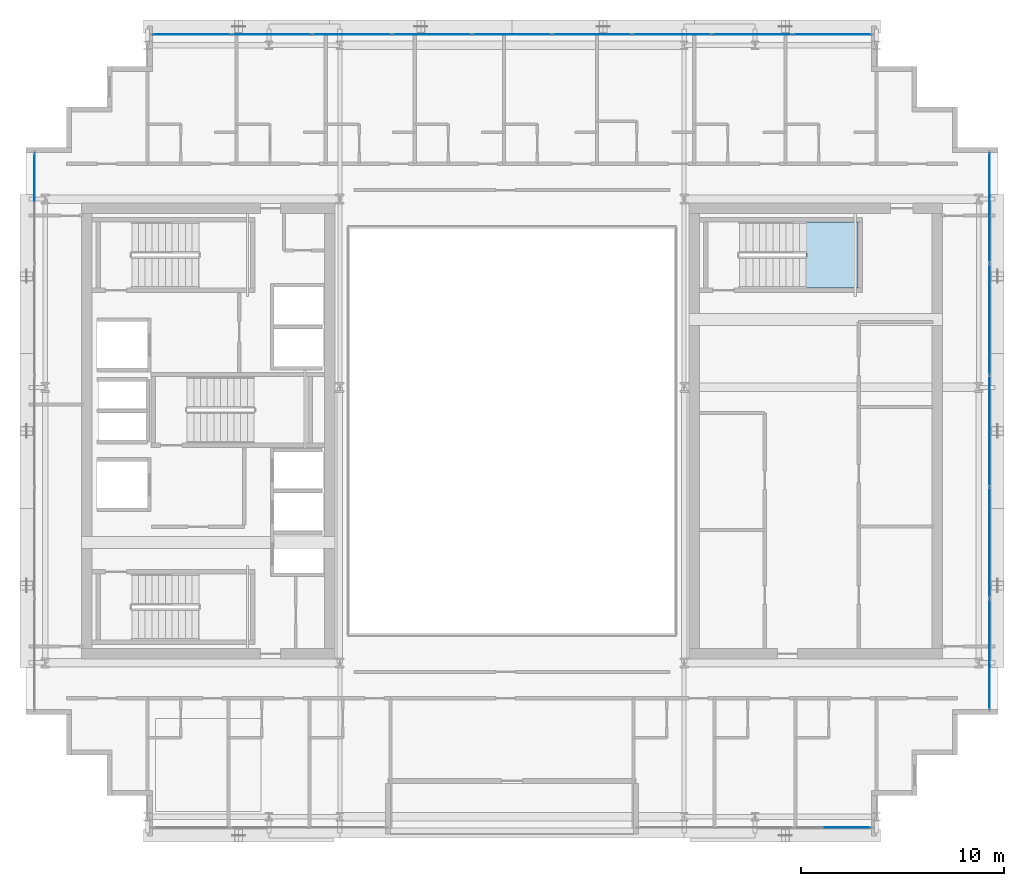
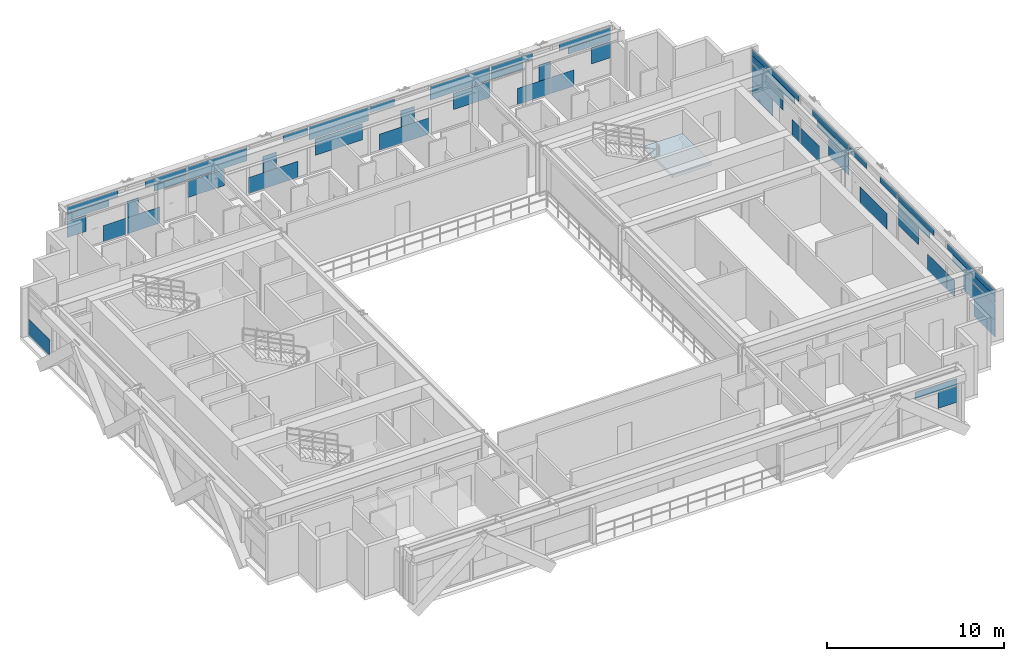
# One storey, part 21 of 32: 52 plates, 1 slab, 5 elements without a shape of their own.
"""IFC4 building model written with IfcOpenShell, lengths in metres."""

from ifc_helpers import new_model, si_unit, direction, frame, origin, origin_2d, place, context, subcontext, project, spatial, polyline, rectangle, outline, extrude, source, transform, mapped, material, layer, layer_set, type_object, element, aggregate, save


model = new_model("IFC4")

# Units and contexts
model_context = context("Model", 3, precision=1e-05, world=origin(), true_north=direction((0.0, 1.0)))
body_context = subcontext(model_context, "Body", "Model", "MODEL_VIEW")
ifc_project = project(units=[si_unit("LENGTHUNIT", "METRE"), si_unit("AREAUNIT", "SQUARE_METRE"), si_unit("VOLUMEUNIT", "CUBIC_METRE"), si_unit("PLANEANGLEUNIT", "RADIAN"), si_unit("MASSUNIT", "GRAM", prefix="KILO")], contexts=[model_context])

# Site, building, storey
site_placement = place(None, origin())
site = spatial("IfcSite", under=ifc_project, at=site_placement, CompositionType="ELEMENT")
building_placement = place(site_placement, origin())
building = spatial("IfcBuilding", under=site, at=building_placement, Name="Ocotamira Hotel", CompositionType="ELEMENT")
storey_placement = place(building_placement, frame((0.0, 0.0, 166.800048828125)))
storey = spatial("IfcBuildingStorey", under=building, at=storey_placement, Name="L41", CompositionType="ELEMENT", Elevation=166.800048828125)

# Stair, slab
ifc_material_1 = material(Name="Concrete C40/50", Category="concrete")
stair_type = type_object("IfcStairType", Name="ST-CORE-1560", PredefinedType="HALF_TURN_STAIR", material=ifc_material_1)
stair_placement = place(storey_placement, origin())
stair = element("IfcStair", 1, at=stair_placement, inside=storey, type_object=stair_type, Name="L41 Exit Stair ST-4", PredefinedType="HALF_TURN_STAIR")
ifc_layer_1 = layer(ifc_material_1, 0.199951171875)
ifc_layer_set_1 = layer_set([ifc_layer_1], Name="Concrete C40/50")
slab_type = type_object("IfcSlabType", Name="SLB-LAND-200", PredefinedType="LANDING", material=ifc_layer_set_1)
slab_placement = place(storey_placement, frame((0.0, 0.0, 1.599853515625)))
slab = element("IfcSlab", 2, at=slab_placement, type_object=slab_type, Name="ST-4 landing 1", PredefinedType="LANDING", context=body_context, shape_type="SweptSolid", body=[
    extrude(outline(polyline([(46.530029296875, 33.050048828125), (49.090087890625, 33.050048828125), (49.090087890625, 36.330078125), (46.530029296875, 36.330078125), (46.530029296875, 33.050048828125)])), origin(), (0.0, 0.0, 1.0), 0.2001953125),
])
aggregate(stair, [slab])

# Curtain wall, plates
ifc_material_2 = material(Name="Anodised pale-metal aluminium and solar glass", Category="aluminium")
ifc_layer_2 = layer(ifc_material_2, 0.199951171875)
ifc_layer_set_2 = layer_set([ifc_layer_2], Name="Anodised pale-metal aluminium and solar glass")
curtain_wall_type = type_object("IfcCurtainWallType", Name="CW-SYS4-Z3", PredefinedType="NOTDEFINED", material=ifc_layer_set_2)
curtain_wall_1_placement = place(storey_placement, origin())
curtain_wall_1 = element("IfcCurtainWall", 3, at=curtain_wall_1_placement, inside=storey, type_object=curtain_wall_type, Name="L41 Curtain Wall CW-4 CW-L41-N", PredefinedType="NOTDEFINED")
ifc_material_3 = material(Name="Double-silver low-E insulated solar glass", Category="glass")
ifc_layer_3 = layer(ifc_material_3, 0.031982421875)
ifc_layer_set_3 = layer_set([ifc_layer_3], Name="Double-silver low-E insulated solar glass")
plate_type = type_object("IfcPlateType", Name="CWP-VISION-32", PredefinedType="CURTAIN_PANEL", material=ifc_layer_set_3)
shared_shape_1 = source(origin(), body_context, "Body", "SweptSolid", [
    extrude(rectangle(XDim=3.87548828125, YDim=0.031982421875, at=origin_2d()), origin(), (0.0, 0.0, 1.0), 0.907470703125),
])
plate_1_placement = place(storey_placement, frame((24.0888671875, 45.580078125, 2.3876953125), z_axis=(0.0, 0.0, 1.0), x_axis=(1.0, 0.0, 0.0)))
plate_1 = element("IfcPlate", 4, at=plate_1_placement, type_object=plate_type, Name="CW-4 panel 3.2", PredefinedType="CURTAIN_PANEL", context=body_context, shape_type="MappedRepresentation", body=[
    mapped(shared_shape_1, transform((0.0, 0.0, 0.0), scale=1.0)),
])
plate_2_placement = place(storey_placement, frame((32.0, 45.580078125, 2.3876953125), z_axis=(0.0, 0.0, 1.0), x_axis=(1.0, 0.0, 0.0)))
plate_2 = element("IfcPlate", 5, at=plate_2_placement, type_object=plate_type, Name="CW-4 panel 5.2", PredefinedType="CURTAIN_PANEL", context=body_context, shape_type="MappedRepresentation", body=[
    mapped(shared_shape_1, transform((0.0, 0.0, 0.0), scale=1.0)),
])
plate_3_placement = place(storey_placement, frame((39.9111328125, 45.580078125, 2.3876953125), z_axis=(0.0, 0.0, 1.0), x_axis=(1.0, 0.0, 0.0)))
plate_3 = element("IfcPlate", 6, at=plate_3_placement, type_object=plate_type, Name="CW-4 panel 7.2", PredefinedType="CURTAIN_PANEL", context=body_context, shape_type="MappedRepresentation", body=[
    mapped(shared_shape_1, transform((0.0, 0.0, 0.0), scale=1.0)),
])

# Curtain wall, plate
curtain_wall_2_placement = place(storey_placement, origin())
curtain_wall_2 = element("IfcCurtainWall", 7, at=curtain_wall_2_placement, inside=storey, type_object=curtain_wall_type, Name="L41 Curtain Wall CW-4 CW-L41-S2", PredefinedType="NOTDEFINED")
shared_shape_2 = source(origin(), body_context, "Body", "SweptSolid", [
    extrude(rectangle(XDim=1.251953125, YDim=0.031982421875, at=origin_2d()), origin(), (0.0, 0.0, 1.0), 1.118896484375),
])
plate_4_placement = place(storey_placement, frame((49.093994140625, 6.419921875, 1.193359375), z_axis=(0.0, 0.0, 1.0), x_axis=(1.0, 0.0, 0.0)))
plate_4 = element("IfcPlate", 8, at=plate_4_placement, type_object=plate_type, Name="CW-4 panel 3.1.2", PredefinedType="CURTAIN_PANEL", context=body_context, shape_type="MappedRepresentation", body=[
    mapped(shared_shape_2, transform((0.0, 0.0, 0.0), scale=1.0)),
])

# Plate
plate_5_placement = place(storey_placement, frame((14.906005859375, 45.580078125, 1.193359375), z_axis=(0.0, 0.0, 1.0), x_axis=(1.0, 0.0, 0.0)))
plate_5 = element("IfcPlate", 9, at=plate_5_placement, type_object=plate_type, Name="CW-4 panel 1.1.1", PredefinedType="CURTAIN_PANEL", context=body_context, shape_type="MappedRepresentation", body=[
    mapped(shared_shape_2, transform((0.0, 0.0, 0.0), scale=1.0)),
])

plate_6_placement = place(storey_placement, frame((49.093994140625, 45.580078125, 1.193359375), z_axis=(0.0, 0.0, 1.0), x_axis=(1.0, 0.0, 0.0)))
plate_6 = element("IfcPlate", 10, at=plate_6_placement, type_object=plate_type, Name="CW-4 panel 9.1.2", PredefinedType="CURTAIN_PANEL", context=body_context, shape_type="MappedRepresentation", body=[
    mapped(shared_shape_2, transform((0.0, 0.0, 0.0), scale=1.0)),
])

shared_shape_3 = source(origin(), body_context, "Body", "SweptSolid", [
    extrude(rectangle(XDim=2.744140625, YDim=0.031982421875, at=origin_2d()), origin(), (0.0, 0.0, 1.0), 0.443603515625),
])
plate_7_placement = place(storey_placement, frame((48.347900390625, 6.419921875, 2.38720703125), z_axis=(0.0, 0.0, 1.0), x_axis=(1.0, 0.0, 0.0)))
plate_7 = element("IfcPlate", 11, at=plate_7_placement, type_object=plate_type, Name="CW-4 panel 3.2.2", PredefinedType="CURTAIN_PANEL", context=body_context, shape_type="MappedRepresentation", body=[
    mapped(shared_shape_3, transform((0.0, 0.0, 0.0), scale=1.0)),
])

aggregate(curtain_wall_2, [plate_4, plate_7])

plate_8_placement = place(storey_placement, frame((15.652099609375, 45.580078125, 2.38720703125), z_axis=(0.0, 0.0, 1.0), x_axis=(1.0, 0.0, 0.0)))
plate_8 = element("IfcPlate", 12, at=plate_8_placement, type_object=plate_type, Name="CW-4 panel 1.2.1", PredefinedType="CURTAIN_PANEL", context=body_context, shape_type="MappedRepresentation", body=[
    mapped(shared_shape_3, transform((0.0, 0.0, 0.0), scale=1.0)),
])

plate_9_placement = place(storey_placement, frame((48.347900390625, 45.580078125, 2.38720703125), z_axis=(0.0, 0.0, 1.0), x_axis=(1.0, 0.0, 0.0)))
plate_9 = element("IfcPlate", 13, at=plate_9_placement, type_object=plate_type, Name="CW-4 panel 9.2.2", PredefinedType="CURTAIN_PANEL", context=body_context, shape_type="MappedRepresentation", body=[
    mapped(shared_shape_3, transform((0.0, 0.0, 0.0), scale=1.0)),
])

shared_shape_4 = source(origin(), body_context, "Body", "SweptSolid", [
    extrude(rectangle(XDim=3.337646484375, YDim=0.031982421875, at=origin_2d()), origin(), (0.0, 0.0, 1.0), 0.4326171875),
])
plate_10_placement = place(storey_placement, frame((15.94873046875, 45.580078125, 2.8623046875), z_axis=(0.0, 0.0, 1.0), x_axis=(1.0, 0.0, 0.0)))
plate_10 = element("IfcPlate", 14, at=plate_10_placement, type_object=plate_type, Name="CW-4 panel 1.2.2", PredefinedType="CURTAIN_PANEL", context=body_context, shape_type="MappedRepresentation", body=[
    mapped(shared_shape_4, transform((0.0, 0.0, 0.0), scale=1.0)),
])

plate_11_placement = place(storey_placement, frame((48.05126953125, 45.580078125, 2.8623046875), z_axis=(0.0, 0.0, 1.0), x_axis=(1.0, 0.0, 0.0)))
plate_11 = element("IfcPlate", 15, at=plate_11_placement, type_object=plate_type, Name="CW-4 panel 9.2.1", PredefinedType="CURTAIN_PANEL", context=body_context, shape_type="MappedRepresentation", body=[
    mapped(shared_shape_4, transform((0.0, 0.0, 0.0), scale=1.0)),
])

shared_shape_5 = source(origin(), body_context, "Body", "SweptSolid", [
    extrude(rectangle(XDim=1.463134765625, YDim=0.031982421875, at=origin_2d()), origin(), (0.0, 0.0, 1.0), 1.118896484375),
])
plate_12_placement = place(storey_placement, frame((17.384033203125, 45.580078125, 0.07470703125), z_axis=(0.0, 0.0, 1.0), x_axis=(1.0, 0.0, 0.0)))
plate_12 = element("IfcPlate", 16, at=plate_12_placement, type_object=plate_type, Name="CW-4 panel 1.1.2", PredefinedType="CURTAIN_PANEL", context=body_context, shape_type="MappedRepresentation", body=[
    mapped(shared_shape_5, transform((0.0, 0.0, 0.0), scale=1.0)),
])

plate_13_placement = place(storey_placement, frame((46.615966796875, 45.580078125, 0.07470703125), z_axis=(0.0, 0.0, 1.0), x_axis=(1.0, 0.0, 0.0)))
plate_13 = element("IfcPlate", 17, at=plate_13_placement, type_object=plate_type, Name="CW-4 panel 9.1.1", PredefinedType="CURTAIN_PANEL", context=body_context, shape_type="MappedRepresentation", body=[
    mapped(shared_shape_5, transform((0.0, 0.0, 0.0), scale=1.0)),
])

shared_shape_6 = source(origin(), body_context, "Body", "SweptSolid", [
    extrude(rectangle(XDim=2.152099609375, YDim=0.031982421875, at=origin_2d()), origin(), (0.0, 0.0, 1.0), 1.118896484375),
])
plate_14_placement = place(storey_placement, frame((19.271484375, 45.580078125, 0.07470703125), z_axis=(0.0, 0.0, 1.0), x_axis=(1.0, 0.0, 0.0)))
plate_14 = element("IfcPlate", 18, at=plate_14_placement, type_object=plate_type, Name="CW-4 panel 2.1.1", PredefinedType="CURTAIN_PANEL", context=body_context, shape_type="MappedRepresentation", body=[
    mapped(shared_shape_6, transform((0.0, 0.0, 0.0), scale=1.0)),
])

plate_15_placement = place(storey_placement, frame((44.728515625, 45.580078125, 0.07470703125), z_axis=(0.0, 0.0, 1.0), x_axis=(1.0, 0.0, 0.0)))
plate_15 = element("IfcPlate", 19, at=plate_15_placement, type_object=plate_type, Name="CW-4 panel 8.1.1", PredefinedType="CURTAIN_PANEL", context=body_context, shape_type="MappedRepresentation", body=[
    mapped(shared_shape_6, transform((0.0, 0.0, 0.0), scale=1.0)),
])

shared_shape_7 = source(origin(), body_context, "Body", "SweptSolid", [
    extrude(rectangle(XDim=0.75341796875, YDim=0.031982421875, at=origin_2d()), origin(), (0.0, 0.0, 1.0), 1.118896484375),
])
plate_16_placement = place(storey_placement, frame((18.572265625, 45.580078125, 1.193359375), z_axis=(0.0, 0.0, 1.0), x_axis=(1.0, 0.0, 0.0)))
plate_16 = element("IfcPlate", 20, at=plate_16_placement, type_object=plate_type, Name="CW-4 panel 2.1.2", PredefinedType="CURTAIN_PANEL", context=body_context, shape_type="MappedRepresentation", body=[
    mapped(shared_shape_7, transform((0.0, 0.0, 0.0), scale=1.0)),
])

plate_17_placement = place(storey_placement, frame((45.427734375, 45.580078125, 1.193359375), z_axis=(0.0, 0.0, 1.0), x_axis=(1.0, 0.0, 0.0)))
plate_17 = element("IfcPlate", 21, at=plate_17_placement, type_object=plate_type, Name="CW-4 panel 8.1.2", PredefinedType="CURTAIN_PANEL", context=body_context, shape_type="MappedRepresentation", body=[
    mapped(shared_shape_7, transform((0.0, 0.0, 0.0), scale=1.0)),
])

shared_shape_8 = source(origin(), body_context, "Body", "SweptSolid", [
    extrude(rectangle(XDim=2.688720703125, YDim=0.031982421875, at=origin_2d()), origin(), (0.0, 0.0, 1.0), 0.4326171875),
])
plate_18_placement = place(storey_placement, frame((20.726806640625, 45.580078125, 2.8623046875), z_axis=(0.0, 0.0, 1.0), x_axis=(1.0, 0.0, 0.0)))
plate_18 = element("IfcPlate", 22, at=plate_18_placement, type_object=plate_type, Name="CW-4 panel 2.2.1", PredefinedType="CURTAIN_PANEL", context=body_context, shape_type="MappedRepresentation", body=[
    mapped(shared_shape_8, transform((0.0, 0.0, 0.0), scale=1.0)),
])

plate_19_placement = place(storey_placement, frame((43.273193359375, 45.580078125, 2.8623046875), z_axis=(0.0, 0.0, 1.0), x_axis=(1.0, 0.0, 0.0)))
plate_19 = element("IfcPlate", 23, at=plate_19_placement, type_object=plate_type, Name="CW-4 panel 8.2.2", PredefinedType="CURTAIN_PANEL", context=body_context, shape_type="MappedRepresentation", body=[
    mapped(shared_shape_8, transform((0.0, 0.0, 0.0), scale=1.0)),
])

shared_shape_9 = source(origin(), body_context, "Body", "SweptSolid", [
    extrude(rectangle(XDim=2.09521484375, YDim=0.031982421875, at=origin_2d()), origin(), (0.0, 0.0, 1.0), 0.443603515625),
])
plate_20_placement = place(storey_placement, frame((21.0234375, 45.580078125, 2.38720703125), z_axis=(0.0, 0.0, 1.0), x_axis=(1.0, 0.0, 0.0)))
plate_20 = element("IfcPlate", 24, at=plate_20_placement, type_object=plate_type, Name="CW-4 panel 2.2.2", PredefinedType="CURTAIN_PANEL", context=body_context, shape_type="MappedRepresentation", body=[
    mapped(shared_shape_9, transform((0.0, 0.0, 0.0), scale=1.0)),
])

plate_21_placement = place(storey_placement, frame((42.9765625, 45.580078125, 2.38720703125), z_axis=(0.0, 0.0, 1.0), x_axis=(1.0, 0.0, 0.0)))
plate_21 = element("IfcPlate", 25, at=plate_21_placement, type_object=plate_type, Name="CW-4 panel 8.2.1", PredefinedType="CURTAIN_PANEL", context=body_context, shape_type="MappedRepresentation", body=[
    mapped(shared_shape_9, transform((0.0, 0.0, 0.0), scale=1.0)),
])

shared_shape_10 = source(origin(), body_context, "Body", "SweptSolid", [
    extrude(rectangle(XDim=2.380859375, YDim=0.031982421875, at=origin_2d()), origin(), (0.0, 0.0, 1.0), 1.118896484375),
])
plate_22_placement = place(storey_placement, frame((23.341552734375, 45.580078125, 1.193359375), z_axis=(0.0, 0.0, 1.0), x_axis=(1.0, 0.0, 0.0)))
plate_22 = element("IfcPlate", 26, at=plate_22_placement, type_object=plate_type, Name="CW-4 panel 3.1.1", PredefinedType="CURTAIN_PANEL", context=body_context, shape_type="MappedRepresentation", body=[
    mapped(shared_shape_10, transform((0.0, 0.0, 0.0), scale=1.0)),
])

plate_23_placement = place(storey_placement, frame((40.658447265625, 45.580078125, 1.193359375), z_axis=(0.0, 0.0, 1.0), x_axis=(1.0, 0.0, 0.0)))
plate_23 = element("IfcPlate", 27, at=plate_23_placement, type_object=plate_type, Name="CW-4 panel 7.1.1", PredefinedType="CURTAIN_PANEL", context=body_context, shape_type="MappedRepresentation", body=[
    mapped(shared_shape_10, transform((0.0, 0.0, 0.0), scale=1.0)),
])

shared_shape_11 = source(origin(), body_context, "Body", "SweptSolid", [
    extrude(rectangle(XDim=3.240966796875, YDim=0.031982421875, at=origin_2d()), origin(), (0.0, 0.0, 1.0), 1.118896484375),
])
plate_24_placement = place(storey_placement, frame((27.72705078125, 45.580078125, 0.07470703125), z_axis=(0.0, 0.0, 1.0), x_axis=(1.0, 0.0, 0.0)))
plate_24 = element("IfcPlate", 28, at=plate_24_placement, type_object=plate_type, Name="CW-4 panel 4.1.1", PredefinedType="CURTAIN_PANEL", context=body_context, shape_type="MappedRepresentation", body=[
    mapped(shared_shape_11, transform((0.0, 0.0, 0.0), scale=1.0)),
])

plate_25_placement = place(storey_placement, frame((36.27294921875, 45.580078125, 0.07470703125), z_axis=(0.0, 0.0, 1.0), x_axis=(1.0, 0.0, 0.0)))
plate_25 = element("IfcPlate", 29, at=plate_25_placement, type_object=plate_type, Name="CW-4 panel 6.1.1", PredefinedType="CURTAIN_PANEL", context=body_context, shape_type="MappedRepresentation", body=[
    mapped(shared_shape_11, transform((0.0, 0.0, 0.0), scale=1.0)),
])

shared_shape_12 = source(origin(), body_context, "Body", "SweptSolid", [
    extrude(rectangle(XDim=0.898193359375, YDim=0.031982421875, at=origin_2d()), origin(), (0.0, 0.0, 1.0), 1.118896484375),
])
plate_26_placement = place(storey_placement, frame((27.5, 45.580078125, 1.193359375), z_axis=(0.0, 0.0, 1.0), x_axis=(1.0, 0.0, 0.0)))
plate_26 = element("IfcPlate", 30, at=plate_26_placement, type_object=plate_type, Name="CW-4 panel 4.1.2", PredefinedType="CURTAIN_PANEL", context=body_context, shape_type="MappedRepresentation", body=[
    mapped(shared_shape_12, transform((0.0, 0.0, 0.0), scale=1.0)),
])

plate_27_placement = place(storey_placement, frame((36.5, 45.580078125, 1.193359375), z_axis=(0.0, 0.0, 1.0), x_axis=(1.0, 0.0, 0.0)))
plate_27 = element("IfcPlate", 31, at=plate_27_placement, type_object=plate_type, Name="CW-4 panel 6.1.2", PredefinedType="CURTAIN_PANEL", context=body_context, shape_type="MappedRepresentation", body=[
    mapped(shared_shape_12, transform((0.0, 0.0, 0.0), scale=1.0)),
])

shared_shape_13 = source(origin(), body_context, "Body", "SweptSolid", [
    extrude(rectangle(XDim=1.599853515625, YDim=0.031982421875, at=origin_2d()), origin(), (0.0, 0.0, 1.0), 0.4326171875),
])
plate_28_placement = place(storey_placement, frame((29.182373046875, 45.580078125, 2.8623046875), z_axis=(0.0, 0.0, 1.0), x_axis=(1.0, 0.0, 0.0)))
plate_28 = element("IfcPlate", 32, at=plate_28_placement, type_object=plate_type, Name="CW-4 panel 4.2.1", PredefinedType="CURTAIN_PANEL", context=body_context, shape_type="MappedRepresentation", body=[
    mapped(shared_shape_13, transform((0.0, 0.0, 0.0), scale=1.0)),
])

plate_29_placement = place(storey_placement, frame((34.817626953125, 45.580078125, 2.8623046875), z_axis=(0.0, 0.0, 1.0), x_axis=(1.0, 0.0, 0.0)))
plate_29 = element("IfcPlate", 33, at=plate_29_placement, type_object=plate_type, Name="CW-4 panel 6.2.1", PredefinedType="CURTAIN_PANEL", context=body_context, shape_type="MappedRepresentation", body=[
    mapped(shared_shape_13, transform((0.0, 0.0, 0.0), scale=1.0)),
])

shared_shape_14 = source(origin(), body_context, "Body", "SweptSolid", [
    extrude(rectangle(XDim=3.063720703125, YDim=0.031982421875, at=origin_2d()), origin(), (0.0, 0.0, 1.0), 1.118896484375),
])
plate_30_placement = place(storey_placement, frame((32.0, 45.580078125, 1.193359375), z_axis=(0.0, 0.0, 1.0), x_axis=(1.0, 0.0, 0.0)))
plate_30 = element("IfcPlate", 34, at=plate_30_placement, type_object=plate_type, Name="CW-4 panel 5.1.1", PredefinedType="CURTAIN_PANEL", context=body_context, shape_type="MappedRepresentation", body=[
    mapped(shared_shape_14, transform((0.0, 0.0, 0.0), scale=1.0)),
])

aggregate(curtain_wall_1, [plate_5, plate_12, plate_8, plate_10, plate_14, plate_16, plate_18, plate_20, plate_22, plate_1, plate_24, plate_26, plate_28, plate_30, plate_2, plate_25, plate_27, plate_29, plate_23, plate_3, plate_15, plate_17, plate_21, plate_19, plate_13, plate_6, plate_11, plate_9])

# Curtain wall, plate
curtain_wall_3_placement = place(storey_placement, origin())
curtain_wall_3 = element("IfcCurtainWall", 35, at=curtain_wall_3_placement, inside=storey, type_object=curtain_wall_type, Name="L41 Curtain Wall CW-4 CW-L41-W", PredefinedType="NOTDEFINED")
shared_shape_15 = source(origin(), body_context, "Body", "SweptSolid", [
    extrude(rectangle(XDim=2.348388671875, YDim=0.031982421875, at=origin_2d()), origin(), (0.0, 0.0, 1.0), 1.118896484375),
])
plate_31_placement = place(storey_placement, frame((8.419921875, 38.5458984375, 0.07470703125), z_axis=(0.0, 0.0, 1.0), x_axis=(0.0, 1.0, 0.0)))
plate_31 = element("IfcPlate", 36, at=plate_31_placement, type_object=plate_type, Name="CW-4 panel 5.1.3", PredefinedType="CURTAIN_PANEL", context=body_context, shape_type="MappedRepresentation", body=[
    mapped(shared_shape_15, transform((0.0, 0.0, 0.0), scale=1.0)),
])
aggregate(curtain_wall_3, [plate_31])

# Curtain wall, plates
curtain_wall_4_placement = place(storey_placement, origin())
curtain_wall_4 = element("IfcCurtainWall", 37, at=curtain_wall_4_placement, inside=storey, type_object=curtain_wall_type, Name="L41 Curtain Wall CW-4 CW-L41-E", PredefinedType="NOTDEFINED")
plate_32_placement = place(storey_placement, frame((55.580078125, 13.4541015625, 0.07470703125), z_axis=(0.0, 0.0, 1.0), x_axis=(0.0, 1.0, 0.0)))
plate_32 = element("IfcPlate", 38, at=plate_32_placement, type_object=plate_type, Name="CW-4 panel 1.1.1", PredefinedType="CURTAIN_PANEL", context=body_context, shape_type="MappedRepresentation", body=[
    mapped(shared_shape_15, transform((0.0, 0.0, 0.0), scale=1.0)),
])
plate_33_placement = place(storey_placement, frame((55.580078125, 38.5458984375, 0.07470703125), z_axis=(0.0, 0.0, 1.0), x_axis=(0.0, 1.0, 0.0)))
plate_33 = element("IfcPlate", 39, at=plate_33_placement, type_object=plate_type, Name="CW-4 panel 5.1.3", PredefinedType="CURTAIN_PANEL", context=body_context, shape_type="MappedRepresentation", body=[
    mapped(shared_shape_15, transform((0.0, 0.0, 0.0), scale=1.0)),
])
shared_shape_16 = source(origin(), body_context, "Body", "SweptSolid", [
    extrude(rectangle(XDim=3.534423828125, YDim=0.031982421875, at=origin_2d()), origin(), (0.0, 0.0, 1.0), 1.118896484375),
])
plate_34_placement = place(storey_placement, frame((55.580078125, 14.047119140625, 1.193359375), z_axis=(0.0, 0.0, 1.0), x_axis=(0.0, 1.0, 0.0)))
plate_34 = element("IfcPlate", 40, at=plate_34_placement, type_object=plate_type, Name="CW-4 panel 1.1.2", PredefinedType="CURTAIN_PANEL", context=body_context, shape_type="MappedRepresentation", body=[
    mapped(shared_shape_16, transform((0.0, 0.0, 0.0), scale=1.0)),
])
plate_35_placement = place(storey_placement, frame((55.580078125, 37.952880859375, 1.193359375), z_axis=(0.0, 0.0, 1.0), x_axis=(0.0, 1.0, 0.0)))
plate_35 = element("IfcPlate", 41, at=plate_35_placement, type_object=plate_type, Name="CW-4 panel 5.1.2", PredefinedType="CURTAIN_PANEL", context=body_context, shape_type="MappedRepresentation", body=[
    mapped(shared_shape_16, transform((0.0, 0.0, 0.0), scale=1.0)),
])
shared_shape_17 = source(origin(), body_context, "Body", "SweptSolid", [
    extrude(rectangle(XDim=0.845458984375, YDim=0.031982421875, at=origin_2d()), origin(), (0.0, 0.0, 1.0), 1.118896484375),
])
plate_36_placement = place(storey_placement, frame((55.580078125, 17.25732421875, 0.07470703125), z_axis=(0.0, 0.0, 1.0), x_axis=(0.0, 1.0, 0.0)))
plate_36 = element("IfcPlate", 42, at=plate_36_placement, type_object=plate_type, Name="CW-4 panel 1.1.3", PredefinedType="CURTAIN_PANEL", context=body_context, shape_type="MappedRepresentation", body=[
    mapped(shared_shape_17, transform((0.0, 0.0, 0.0), scale=1.0)),
])
plate_37_placement = place(storey_placement, frame((55.580078125, 34.74267578125, 0.07470703125), z_axis=(0.0, 0.0, 1.0), x_axis=(0.0, 1.0, 0.0)))
plate_37 = element("IfcPlate", 43, at=plate_37_placement, type_object=plate_type, Name="CW-4 panel 5.1.1", PredefinedType="CURTAIN_PANEL", context=body_context, shape_type="MappedRepresentation", body=[
    mapped(shared_shape_17, transform((0.0, 0.0, 0.0), scale=1.0)),
])
shared_shape_18 = source(origin(), body_context, "Body", "SweptSolid", [
    extrude(rectangle(XDim=4.7998046875, YDim=0.031982421875, at=origin_2d()), origin(), (0.0, 0.0, 1.0), 0.4951171875),
])
plate_38_placement = place(storey_placement, frame((55.580078125, 14.679931640625, 2.387451171875), z_axis=(0.0, 0.0, 1.0), x_axis=(0.0, 1.0, 0.0)))
plate_38 = element("IfcPlate", 44, at=plate_38_placement, type_object=plate_type, Name="CW-4 panel 1.2.1", PredefinedType="CURTAIN_PANEL", context=body_context, shape_type="MappedRepresentation", body=[
    mapped(shared_shape_18, transform((0.0, 0.0, 0.0), scale=1.0)),
])
plate_39_placement = place(storey_placement, frame((55.580078125, 37.320068359375, 2.387451171875), z_axis=(0.0, 0.0, 1.0), x_axis=(0.0, 1.0, 0.0)))
plate_39 = element("IfcPlate", 45, at=plate_39_placement, type_object=plate_type, Name="CW-4 panel 5.2.2", PredefinedType="CURTAIN_PANEL", context=body_context, shape_type="MappedRepresentation", body=[
    mapped(shared_shape_18, transform((0.0, 0.0, 0.0), scale=1.0)),
])
shared_shape_19 = source(origin(), body_context, "Body", "SweptSolid", [
    extrude(rectangle(XDim=5.32470703125, YDim=0.031982421875, at=origin_2d()), origin(), (0.0, 0.0, 1.0), 0.41259765625),
])
plate_40_placement = place(storey_placement, frame((55.580078125, 14.9423828125, 2.882568359375), z_axis=(0.0, 0.0, 1.0), x_axis=(0.0, 1.0, 0.0)))
plate_40 = element("IfcPlate", 46, at=plate_40_placement, type_object=plate_type, Name="CW-4 panel 1.2.2", PredefinedType="CURTAIN_PANEL", context=body_context, shape_type="MappedRepresentation", body=[
    mapped(shared_shape_19, transform((0.0, 0.0, 0.0), scale=1.0)),
])
plate_41_placement = place(storey_placement, frame((55.580078125, 37.0576171875, 2.882568359375), z_axis=(0.0, 0.0, 1.0), x_axis=(0.0, 1.0, 0.0)))
plate_41 = element("IfcPlate", 47, at=plate_41_placement, type_object=plate_type, Name="CW-4 panel 5.2.1", PredefinedType="CURTAIN_PANEL", context=body_context, shape_type="MappedRepresentation", body=[
    mapped(shared_shape_19, transform((0.0, 0.0, 0.0), scale=1.0)),
])
shared_shape_20 = source(origin(), body_context, "Body", "SweptSolid", [
    extrude(rectangle(XDim=2.138671875, YDim=0.031982421875, at=origin_2d()), origin(), (0.0, 0.0, 1.0), 1.118896484375),
])
plate_42_placement = place(storey_placement, frame((55.580078125, 18.829345703125, 0.07470703125), z_axis=(0.0, 0.0, 1.0), x_axis=(0.0, 1.0, 0.0)))
plate_42 = element("IfcPlate", 48, at=plate_42_placement, type_object=plate_type, Name="CW-4 panel 2.1.1", PredefinedType="CURTAIN_PANEL", context=body_context, shape_type="MappedRepresentation", body=[
    mapped(shared_shape_20, transform((0.0, 0.0, 0.0), scale=1.0)),
])
plate_43_placement = place(storey_placement, frame((55.580078125, 33.170654296875, 0.07470703125), z_axis=(0.0, 0.0, 1.0), x_axis=(0.0, 1.0, 0.0)))
plate_43 = element("IfcPlate", 49, at=plate_43_placement, type_object=plate_type, Name="CW-4 panel 4.1.2", PredefinedType="CURTAIN_PANEL", context=body_context, shape_type="MappedRepresentation", body=[
    mapped(shared_shape_20, transform((0.0, 0.0, 0.0), scale=1.0)),
])
shared_shape_21 = source(origin(), body_context, "Body", "SweptSolid", [
    extrude(rectangle(XDim=2.281005859375, YDim=0.031982421875, at=origin_2d()), origin(), (0.0, 0.0, 1.0), 1.118896484375),
])
plate_44_placement = place(storey_placement, frame((55.580078125, 22.059326171875, 1.193359375), z_axis=(0.0, 0.0, 1.0), x_axis=(0.0, 1.0, 0.0)))
plate_44 = element("IfcPlate", 50, at=plate_44_placement, type_object=plate_type, Name="CW-4 panel 2.1.2", PredefinedType="CURTAIN_PANEL", context=body_context, shape_type="MappedRepresentation", body=[
    mapped(shared_shape_21, transform((0.0, 0.0, 0.0), scale=1.0)),
])
plate_45_placement = place(storey_placement, frame((55.580078125, 29.940673828125, 1.193359375), z_axis=(0.0, 0.0, 1.0), x_axis=(0.0, 1.0, 0.0)))
plate_45 = element("IfcPlate", 51, at=plate_45_placement, type_object=plate_type, Name="CW-4 panel 4.1.1", PredefinedType="CURTAIN_PANEL", context=body_context, shape_type="MappedRepresentation", body=[
    mapped(shared_shape_21, transform((0.0, 0.0, 0.0), scale=1.0)),
])
shared_shape_22 = source(origin(), body_context, "Body", "SweptSolid", [
    extrude(rectangle(XDim=4.071533203125, YDim=0.031982421875, at=origin_2d()), origin(), (0.0, 0.0, 1.0), 0.41259765625),
])
plate_46_placement = place(storey_placement, frame((55.580078125, 21.164306640625, 2.882568359375), z_axis=(0.0, 0.0, 1.0), x_axis=(0.0, 1.0, 0.0)))
plate_46 = element("IfcPlate", 52, at=plate_46_placement, type_object=plate_type, Name="CW-4 panel 2.2.1", PredefinedType="CURTAIN_PANEL", context=body_context, shape_type="MappedRepresentation", body=[
    mapped(shared_shape_22, transform((0.0, 0.0, 0.0), scale=1.0)),
])
plate_47_placement = place(storey_placement, frame((55.580078125, 30.835693359375, 2.882568359375), z_axis=(0.0, 0.0, 1.0), x_axis=(0.0, 1.0, 0.0)))
plate_47 = element("IfcPlate", 53, at=plate_47_placement, type_object=plate_type, Name="CW-4 panel 4.2.2", PredefinedType="CURTAIN_PANEL", context=body_context, shape_type="MappedRepresentation", body=[
    mapped(shared_shape_22, transform((0.0, 0.0, 0.0), scale=1.0)),
])
shared_shape_23 = source(origin(), body_context, "Body", "SweptSolid", [
    extrude(rectangle(XDim=3.546630859375, YDim=0.031982421875, at=origin_2d()), origin(), (0.0, 0.0, 1.0), 0.460693359375),
])
plate_48_placement = place(storey_placement, frame((55.580078125, 21.426513671875, 2.3876953125), z_axis=(0.0, 0.0, 1.0), x_axis=(0.0, 1.0, 0.0)))
plate_48 = element("IfcPlate", 54, at=plate_48_placement, type_object=plate_type, Name="CW-4 panel 2.2.2", PredefinedType="CURTAIN_PANEL", context=body_context, shape_type="MappedRepresentation", body=[
    mapped(shared_shape_23, transform((0.0, 0.0, 0.0), scale=1.0)),
])
plate_49_placement = place(storey_placement, frame((55.580078125, 30.573486328125, 2.3876953125), z_axis=(0.0, 0.0, 1.0), x_axis=(0.0, 1.0, 0.0)))
plate_49 = element("IfcPlate", 55, at=plate_49_placement, type_object=plate_type, Name="CW-4 panel 4.2.1", PredefinedType="CURTAIN_PANEL", context=body_context, shape_type="MappedRepresentation", body=[
    mapped(shared_shape_23, transform((0.0, 0.0, 0.0), scale=1.0)),
])
shared_shape_24 = source(origin(), body_context, "Body", "SweptSolid", [
    extrude(rectangle(XDim=3.064208984375, YDim=0.031982421875, at=origin_2d()), origin(), (0.0, 0.0, 1.0), 1.118896484375),
])
plate_50_placement = place(storey_placement, frame((55.580078125, 26.0, 0.07470703125), z_axis=(0.0, 0.0, 1.0), x_axis=(0.0, 1.0, 0.0)))
plate_50 = element("IfcPlate", 56, at=plate_50_placement, type_object=plate_type, Name="CW-4 panel 3.1.1", PredefinedType="CURTAIN_PANEL", context=body_context, shape_type="MappedRepresentation", body=[
    mapped(shared_shape_24, transform((0.0, 0.0, 0.0), scale=1.0)),
])
shared_shape_25 = source(origin(), body_context, "Body", "SweptSolid", [
    extrude(rectangle(XDim=1.958251953125, YDim=0.031982421875, at=origin_2d()), origin(), (0.0, 0.0, 1.0), 0.41259765625),
])
plate_51_placement = place(storey_placement, frame((55.580078125, 24.259033203125, 2.882568359375), z_axis=(0.0, 0.0, 1.0), x_axis=(0.0, 1.0, 0.0)))
plate_51 = element("IfcPlate", 57, at=plate_51_placement, type_object=plate_type, Name="CW-4 panel 3.2.1", PredefinedType="CURTAIN_PANEL", context=body_context, shape_type="MappedRepresentation", body=[
    mapped(shared_shape_25, transform((0.0, 0.0, 0.0), scale=1.0)),
])
plate_52_placement = place(storey_placement, frame((55.580078125, 27.740966796875, 2.882568359375), z_axis=(0.0, 0.0, 1.0), x_axis=(0.0, 1.0, 0.0)))
plate_52 = element("IfcPlate", 58, at=plate_52_placement, type_object=plate_type, Name="CW-4 panel 3.2.2", PredefinedType="CURTAIN_PANEL", context=body_context, shape_type="MappedRepresentation", body=[
    mapped(shared_shape_25, transform((0.0, 0.0, 0.0), scale=1.0)),
])
aggregate(curtain_wall_4, [plate_32, plate_34, plate_36, plate_38, plate_40, plate_42, plate_44, plate_46, plate_48, plate_50, plate_51, plate_52, plate_45, plate_43, plate_49, plate_47, plate_37, plate_35, plate_33, plate_41, plate_39])

save(model, "model.ifc")
